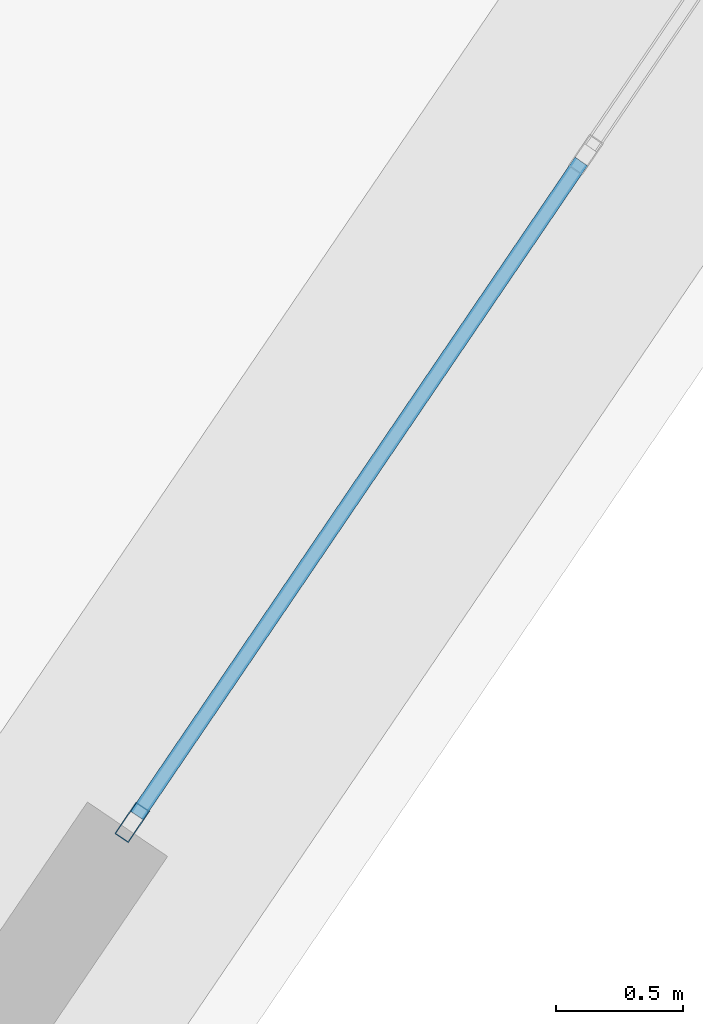
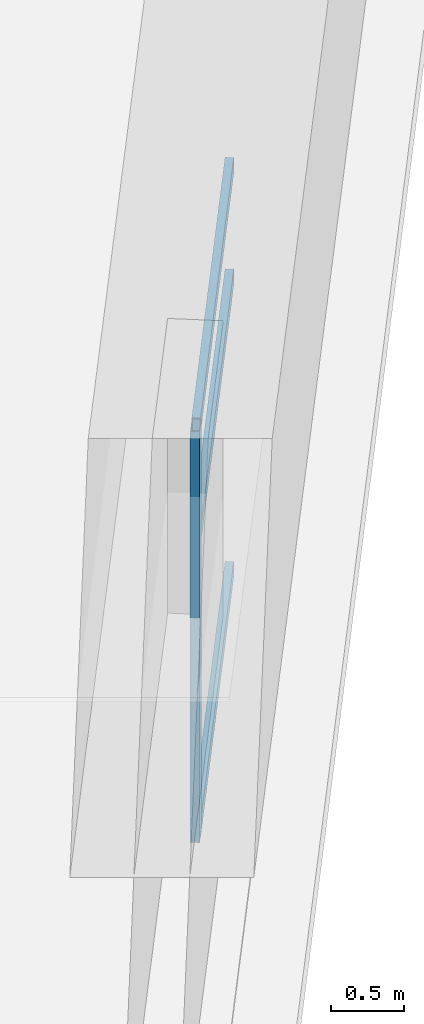
# One storey, part 6 of 39: 4 members, 1 element without a shape of its own.
"""IFC4 building model written with IfcOpenShell, lengths in metres."""

from ifc_helpers import new_model, si_unit, direction, frame, origin, origin_2d, place, context, subcontext, project, spatial, hollow_rectangle, extrude, source, transform, mapped, material, layer, layer_set, material_profile, profile_set, type_object, element, aggregate, save


model = new_model("IFC4")

# Units and contexts
model_context = context("Model", 3, precision=1e-05, world=origin(), true_north=direction((0.0, 1.0)))
body_context = subcontext(model_context, "Body", "Model", "MODEL_VIEW")
ifc_project = project(units=[si_unit("LENGTHUNIT", "METRE"), si_unit("AREAUNIT", "SQUARE_METRE"), si_unit("VOLUMEUNIT", "CUBIC_METRE"), si_unit("PLANEANGLEUNIT", "RADIAN"), si_unit("MASSUNIT", "GRAM", prefix="KILO")], contexts=[model_context])

# Site, building, storey
site_placement = place(None, origin())
site = spatial("IfcSite", under=ifc_project, at=site_placement, CompositionType="ELEMENT")
building_placement = place(site_placement, origin())
building = spatial("IfcBuilding", under=site, at=building_placement, Name="Liaohun Quay Tower", CompositionType="ELEMENT")
storey_placement = place(building_placement, frame((0.0, 0.0, 189.75)))
storey = spatial("IfcBuildingStorey", under=building, at=storey_placement, Name="L49", CompositionType="ELEMENT", Elevation=189.75)

# Curtain wall, members
ifc_material_1 = material(Name="Mid-height zone-break sky-lobby curtain wall")
ifc_layer = layer(ifc_material_1, 0.199951171875, Name="Mid-height zone-break sky-lobby curtain wall")
ifc_layer_set = layer_set([ifc_layer], Name="Mid-height zone-break sky-lobby curtain wall")
curtain_wall_type = type_object("IfcCurtainWallType", Name="CW-SKY-L49", PredefinedType="NOTDEFINED", material=ifc_layer_set)
curtain_wall_placement = place(storey_placement, origin())
curtain_wall = element("IfcCurtainWall", 1, at=curtain_wall_placement, inside=storey, type_object=curtain_wall_type, Name="L49 Panoramic Belvedere Curtain Wall 01", PredefinedType="NOTDEFINED")
ifc_material_2 = material(Name="Anodised aluminium 6063-T6", Category="aluminium")
ifc_material_profile_1 = material_profile(ifc_material_2, hollow_rectangle(XDim=0.06494140625, YDim=0.14990234375, WallThickness=0.00390625, at=origin_2d()), Name="RHS150x65x4")
ifc_profile_set_1 = profile_set([ifc_material_profile_1], Name="Anodised aluminium 6063-T6")
member_type_1 = type_object("IfcMemberType", Name="MEM-CWM-SKY", PredefinedType="MULLION", material=ifc_profile_set_1)
shared_shape_1 = source(origin(), body_context, "Body", "SweptSolid", [
    extrude(hollow_rectangle(XDim=0.06494140625, YDim=0.14990234375, WallThickness=0.00390625, at=origin_2d()), origin(), (0.0, 0.0, 1.0), 3.419921875),
])
member_1_placement = place(storey_placement, frame((71.101318359375, 25.96484375, 0.0), z_axis=(0.0, 0.0, 1.0), x_axis=(-0.827138581932, 0.561998012701, 0.0)))
member_1 = element("IfcMember", 2, at=member_1_placement, type_object=member_type_1, Name="CW4 mullion 1", PredefinedType="MULLION", context=body_context, shape_type="MappedRepresentation", body=[
    mapped(shared_shape_1, transform((0.0, 0.0, 0.0), x_axis=(1.0, 0.0, 0.0), y_axis=(0.0, 1.0, 0.0), z_axis=(0.0, 0.0, 1.0), scale=1.0)),
])
ifc_material_profile_2 = material_profile(ifc_material_2, hollow_rectangle(XDim=0.06005859375, YDim=0.135009765625, WallThickness=0.00390625, at=origin_2d()), Name="RHS135x60x4")
ifc_profile_set_2 = profile_set([ifc_material_profile_2], Name="Anodised aluminium 6063-T6")
member_type_2 = type_object("IfcMemberType", Name="MEM-CWT-SKY", PredefinedType="USERDEFINED", material=ifc_profile_set_2)
shared_shape_2 = source(origin(), body_context, "Body", "SweptSolid", [
    extrude(hollow_rectangle(XDim=0.06005859375, YDim=0.135009765625, WallThickness=0.00390625, at=origin_2d()), origin(), (0.0, 0.0, 1.0), 3.102783203125),
])
member_2_placement = place(storey_placement, frame((71.11962890625, 25.99169921875, 0.030029296875), z_axis=(0.561978528995, 0.82715181977, 0.0), x_axis=(-0.82715181977, 0.561978528995, 0.0)))
member_2 = element("IfcMember", 3, at=member_2_placement, type_object=member_type_2, Name="CW4 transom 1.1", ObjectType="TRANSOM", PredefinedType="USERDEFINED", context=body_context, shape_type="MappedRepresentation", body=[
    mapped(shared_shape_2, transform((0.0, 0.0, 0.0), x_axis=(1.0, 0.0, 0.0), y_axis=(0.0, 1.0, 0.0), z_axis=(0.0, 0.0, 1.0), scale=1.0)),
])
member_3_placement = place(storey_placement, frame((71.11962890625, 25.99169921875, 2.4619140625), z_axis=(0.561978528995, 0.82715181977, 0.0), x_axis=(-0.82715181977, 0.561978528995, 0.0)))
member_3 = element("IfcMember", 4, at=member_3_placement, type_object=member_type_2, Name="CW4 transom 1.2", ObjectType="TRANSOM", PredefinedType="USERDEFINED", context=body_context, shape_type="MappedRepresentation", body=[
    mapped(shared_shape_2, transform((0.0, 0.0, 0.0), x_axis=(1.0, 0.0, 0.0), y_axis=(0.0, 1.0, 0.0), z_axis=(0.0, 0.0, 1.0), scale=1.0)),
])
member_4_placement = place(storey_placement, frame((71.11962890625, 25.99169921875, 3.389892578125), z_axis=(0.561978528995, 0.82715181977, 0.0), x_axis=(-0.82715181977, 0.561978528995, 0.0)))
member_4 = element("IfcMember", 5, at=member_4_placement, type_object=member_type_2, Name="CW4 transom 1.3", ObjectType="TRANSOM", PredefinedType="USERDEFINED", context=body_context, shape_type="MappedRepresentation", body=[
    mapped(shared_shape_2, transform((0.0, 0.0, 0.0), x_axis=(1.0, 0.0, 0.0), y_axis=(0.0, 1.0, 0.0), z_axis=(0.0, 0.0, 1.0), scale=1.0)),
])
aggregate(curtain_wall, [member_1, member_2, member_3, member_4])

save(model, "model.ifc")
